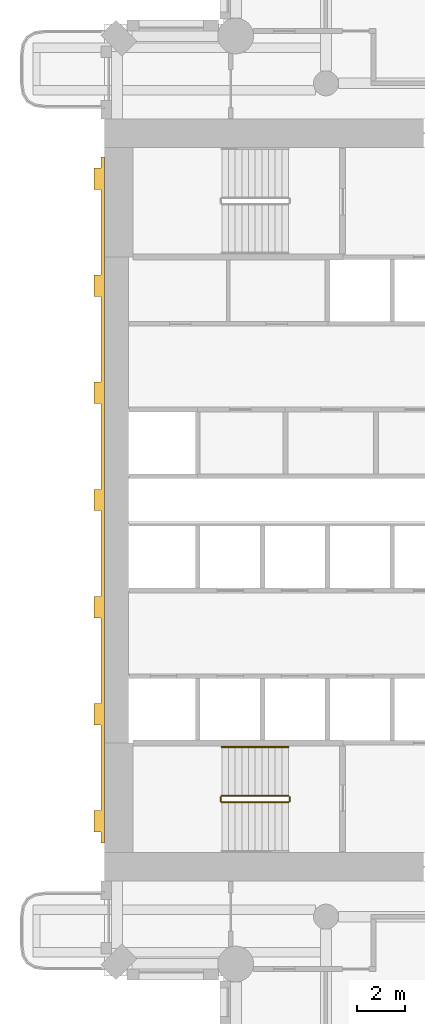
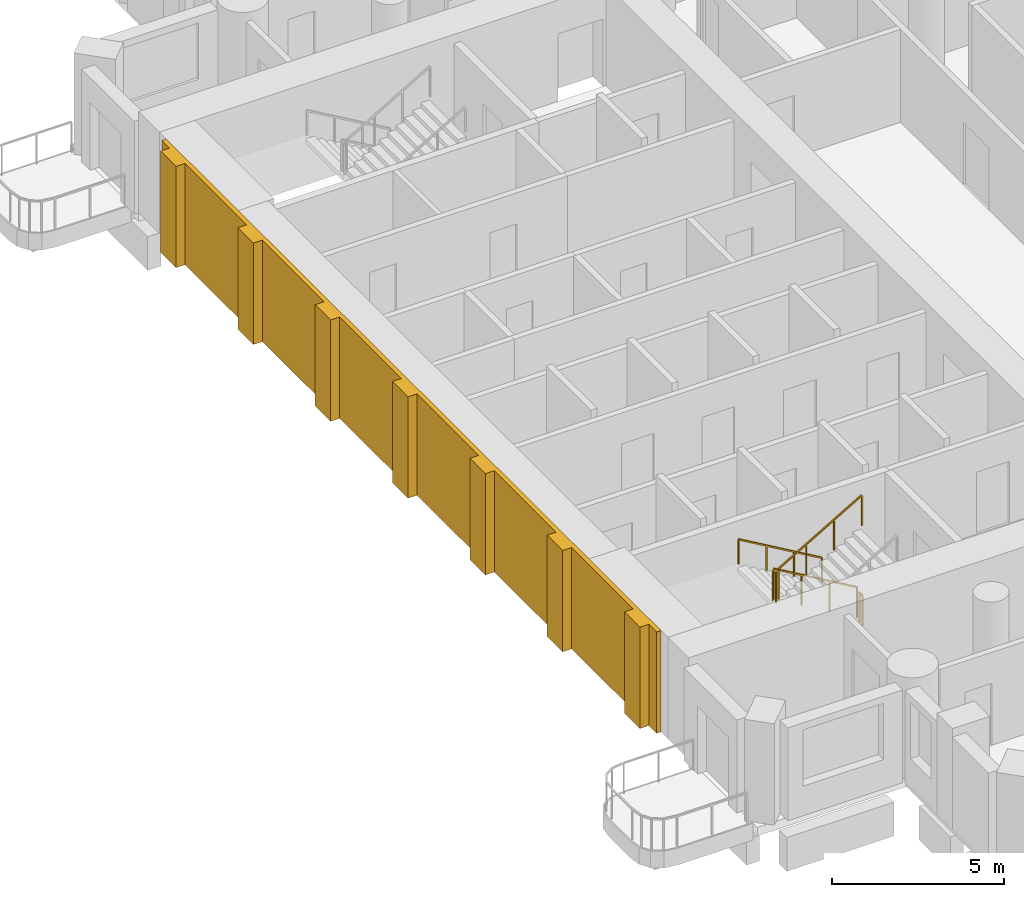
# One storey, part 14 of 20: 5 railings, 1 covering.
"""IFC4 building model written with IfcOpenShell, lengths in metres."""

from ifc_helpers import new_model, si_unit, direction, frame, origin, origin_2d, place, context, subcontext, project, spatial, polyline, rectangle, outline, extrude, material, layer, layer_set, type_object, element, save


model = new_model("IFC4")

# Units and contexts
model_context = context("Model", 3, precision=1e-05, world=origin(), true_north=direction((0.0, 1.0)))
body_context = subcontext(model_context, "Body", "Model", "MODEL_VIEW")
ifc_project = project(units=[si_unit("LENGTHUNIT", "METRE"), si_unit("AREAUNIT", "SQUARE_METRE"), si_unit("VOLUMEUNIT", "CUBIC_METRE"), si_unit("PLANEANGLEUNIT", "RADIAN"), si_unit("MASSUNIT", "GRAM", prefix="KILO")], contexts=[model_context])

# Site, building, storey
site_placement = place(None, origin())
site = spatial("IfcSite", under=ifc_project, at=site_placement, CompositionType="ELEMENT")
building_placement = place(site_placement, origin())
building = spatial("IfcBuilding", under=site, at=building_placement, Name="Cypress Arch Tower", CompositionType="ELEMENT")
storey_placement = place(building_placement, frame((0.0, 0.0, 134.699951171875)))
storey = spatial("IfcBuildingStorey", under=building, at=storey_placement, Name="L29", CompositionType="ELEMENT", Elevation=134.699951171875)

# Railings
ifc_material_1 = material(Name="Black powder-coated steel square bar 48 mm", Category="steel")
railing_type_1 = type_object("IfcRailingType", Name="Stair handrail HR1", PredefinedType="HANDRAIL", material=ifc_material_1)
railing_1_placement = place(storey_placement, frame((-22.27490234375, -10.375, 0.16357421875)))
element("IfcRailing", 1, at=railing_1_placement, inside=storey, type_object=railing_type_1, Name="L29 A stair handrail 1", PredefinedType="HANDRAIL", context=body_context, shape_type="SweptSolid", body=[
    extrude(rectangle(XDim=0.048095703125, YDim=0.048095703125, at=origin_2d()), frame((0.0, 0.0, 0.8759765625), z_axis=(-0.863360870873, 0.0, 0.504586966384), x_axis=(0.0, -1.0, 0.0)), (0.0, 0.0, 1.0), 3.2431640625),
    extrude(rectangle(XDim=0.0419921875, YDim=0.0419921875, at=origin_2d()), origin(), (0.0, 0.0, 1.0), 0.851806640625),
    extrude(rectangle(XDim=0.0419921875, YDim=0.0419921875, at=origin_2d()), frame((-0.933349609375, 0.0, 0.54541015625)), (0.0, 0.0, 1.0), 0.851806640625),
    extrude(rectangle(XDim=0.0419921875, YDim=0.0419921875, at=origin_2d()), frame((-1.86669921875, 0.0, 1.091064453125)), (0.0, 0.0, 1.0), 0.851806640625),
    extrude(rectangle(XDim=0.0419921875, YDim=0.0419921875, at=origin_2d()), frame((-2.800048828125, 0.0, 1.636474609375)), (0.0, 0.0, 1.0), 0.851806640625),
])
ifc_material_2 = material(Name="Black powder-coated steel balusters", Category="steel")
railing_type_2 = type_object("IfcRailingType", Name="Stair well guard G1", PredefinedType="GUARDRAIL", material=ifc_material_2)
railing_2_placement = place(storey_placement, frame((-22.27490234375, -12.425048828125, 0.16357421875)))
element("IfcRailing", 2, at=railing_2_placement, inside=storey, type_object=railing_type_2, Name="L29 A stair guard 1", PredefinedType="GUARDRAIL", context=body_context, shape_type="SweptSolid", body=[
    extrude(rectangle(XDim=0.048095703125, YDim=0.048095703125, at=origin_2d()), frame((0.0, 0.0, 1.076171875), z_axis=(-0.863360870873, 0.0, 0.504586966384), x_axis=(0.0, -1.0, 0.0)), (0.0, 0.0, 1.0), 3.2431640625),
    extrude(rectangle(XDim=0.0419921875, YDim=0.0419921875, at=origin_2d()), origin(), (0.0, 0.0, 1.0), 1.052001953125),
    extrude(rectangle(XDim=0.0419921875, YDim=0.0419921875, at=origin_2d()), frame((-0.933349609375, 0.0, 0.54541015625)), (0.0, 0.0, 1.0), 1.052001953125),
    extrude(rectangle(XDim=0.0419921875, YDim=0.0419921875, at=origin_2d()), frame((-1.86669921875, 0.0, 1.091064453125)), (0.0, 0.0, 1.0), 1.052001953125),
    extrude(rectangle(XDim=0.0419921875, YDim=0.0419921875, at=origin_2d()), frame((-2.800048828125, 0.0, 1.636474609375)), (0.0, 0.0, 1.0), 1.052001953125),
])
railing_3_placement = place(storey_placement, frame((-25.125, -12.47509765625, 1.800048828125)))
element("IfcRailing", 3, at=railing_3_placement, inside=storey, type_object=railing_type_2, Name="L29 A stair guard 2", PredefinedType="GUARDRAIL", context=body_context, shape_type="SweptSolid", body=[
    extrude(rectangle(XDim=0.048095703125, YDim=0.048095703125, at=origin_2d()), frame((0.0, 0.0, 1.076171875), z_axis=(0.0, -1.0, 0.0), x_axis=(1.0, 0.0, 0.0)), (0.0, 0.0, 1.0), 0.1748046875),
    extrude(rectangle(XDim=0.0419921875, YDim=0.0419921875, at=origin_2d()), origin(), (0.0, 0.0, 1.0), 1.052001953125),
    extrude(rectangle(XDim=0.0419921875, YDim=0.0419921875, at=origin_2d()), frame((0.0, -0.1748046875, 0.0)), (0.0, 0.0, 1.0), 1.052001953125),
])
railing_4_placement = place(storey_placement, frame((-25.074951171875, -12.699951171875, 1.963623046875)))
element("IfcRailing", 4, at=railing_4_placement, inside=storey, type_object=railing_type_2, Name="L29 A stair guard 3", PredefinedType="GUARDRAIL", context=body_context, shape_type="SweptSolid", body=[
    extrude(rectangle(XDim=0.048095703125, YDim=0.048095703125, at=origin_2d()), frame((0.0, 0.0, 1.076171875), z_axis=(0.863360870873, 0.0, 0.504586966384), x_axis=(0.0, 1.0, 0.0)), (0.0, 0.0, 1.0), 3.2431640625),
    extrude(rectangle(XDim=0.0419921875, YDim=0.0419921875, at=origin_2d()), origin(), (0.0, 0.0, 1.0), 1.052001953125),
    extrude(rectangle(XDim=0.0419921875, YDim=0.0419921875, at=origin_2d()), frame((0.933349609375, 0.0, 0.54541015625)), (0.0, 0.0, 1.0), 1.052001953125),
    extrude(rectangle(XDim=0.0419921875, YDim=0.0419921875, at=origin_2d()), frame((1.86669921875, 0.0, 1.091064453125)), (0.0, 0.0, 1.0), 1.052001953125),
    extrude(rectangle(XDim=0.0419921875, YDim=0.0419921875, at=origin_2d()), frame((2.800048828125, 0.0, 1.636474609375)), (0.0, 0.0, 1.0), 1.052001953125),
])
railing_5_placement = place(storey_placement, frame((-22.22509765625, -12.47509765625, 0.0)))
element("IfcRailing", 5, at=railing_5_placement, inside=storey, type_object=railing_type_2, Name="L29 A stair guard 4", PredefinedType="GUARDRAIL", context=body_context, shape_type="SweptSolid", body=[
    extrude(rectangle(XDim=0.048095703125, YDim=0.048095703125, at=origin_2d()), frame((0.0, 0.0, 1.076171875), z_axis=(0.0, -1.0, 0.0), x_axis=(1.0, 0.0, 0.0)), (0.0, 0.0, 1.0), 0.1748046875),
    extrude(rectangle(XDim=0.0419921875, YDim=0.0419921875, at=origin_2d()), origin(), (0.0, 0.0, 1.0), 1.052001953125),
    extrude(rectangle(XDim=0.0419921875, YDim=0.0419921875, at=origin_2d()), frame((0.0, -0.1748046875, 0.0)), (0.0, 0.0, 1.0), 1.052001953125),
])

# Covering
ifc_material_3 = material(Name="Brick (red buff blend)", Category="masonry")
ifc_layer = layer(ifc_material_3, 0.449951171875)
ifc_layer_set = layer_set([ifc_layer], Name="West face brick piers WP450")
covering_type = type_object("IfcCoveringType", Name="West face brick piers WP450", PredefinedType="CLADDING", material=ifc_layer_set)
covering_placement = place(storey_placement, origin())
element("IfcCovering", 6, at=covering_placement, inside=storey, type_object=covering_type, Name="West face brick piers L29", PredefinedType="CLADDING", context=body_context, shape_type="SweptSolid", body=[
    extrude(outline(polyline([(-30.14990234375, -13.050048828125), (-30.14990234375, -9.449951171875), (-30.449951171875, -9.449951171875), (-30.449951171875, -8.550048828125), (-30.14990234375, -8.550048828125), (-30.14990234375, -4.949951171875), (-30.449951171875, -4.949951171875), (-30.449951171875, -4.050048828125), (-30.14990234375, -4.050048828125), (-30.14990234375, -0.449951171875), (-30.449951171875, -0.449951171875), (-30.449951171875, 0.449951171875), (-30.14990234375, 0.449951171875), (-30.14990234375, 4.050048828125), (-30.449951171875, 4.050048828125), (-30.449951171875, 4.949951171875), (-30.14990234375, 4.949951171875), (-30.14990234375, 8.550048828125), (-30.449951171875, 8.550048828125), (-30.449951171875, 9.449951171875), (-30.14990234375, 9.449951171875), (-30.14990234375, 13.050048828125), (-30.449951171875, 13.050048828125), (-30.449951171875, 13.949951171875), (-30.14990234375, 13.949951171875), (-30.14990234375, 14.39990234375), (-30.0, 14.39990234375), (-30.0, -14.39990234375), (-30.14990234375, -14.39990234375), (-30.14990234375, -13.949951171875), (-30.449951171875, -13.949951171875), (-30.449951171875, -13.050048828125), (-30.14990234375, -13.050048828125)])), origin(), (0.0, 0.0, 1.0), 3.60009765625),
])

save(model, "model.ifc")
